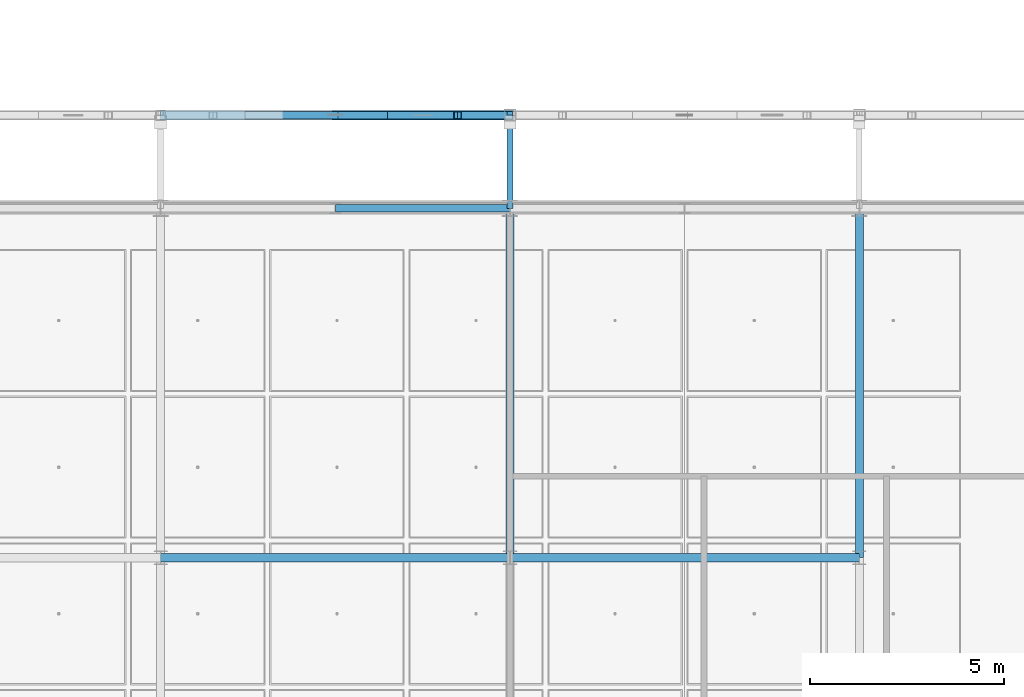
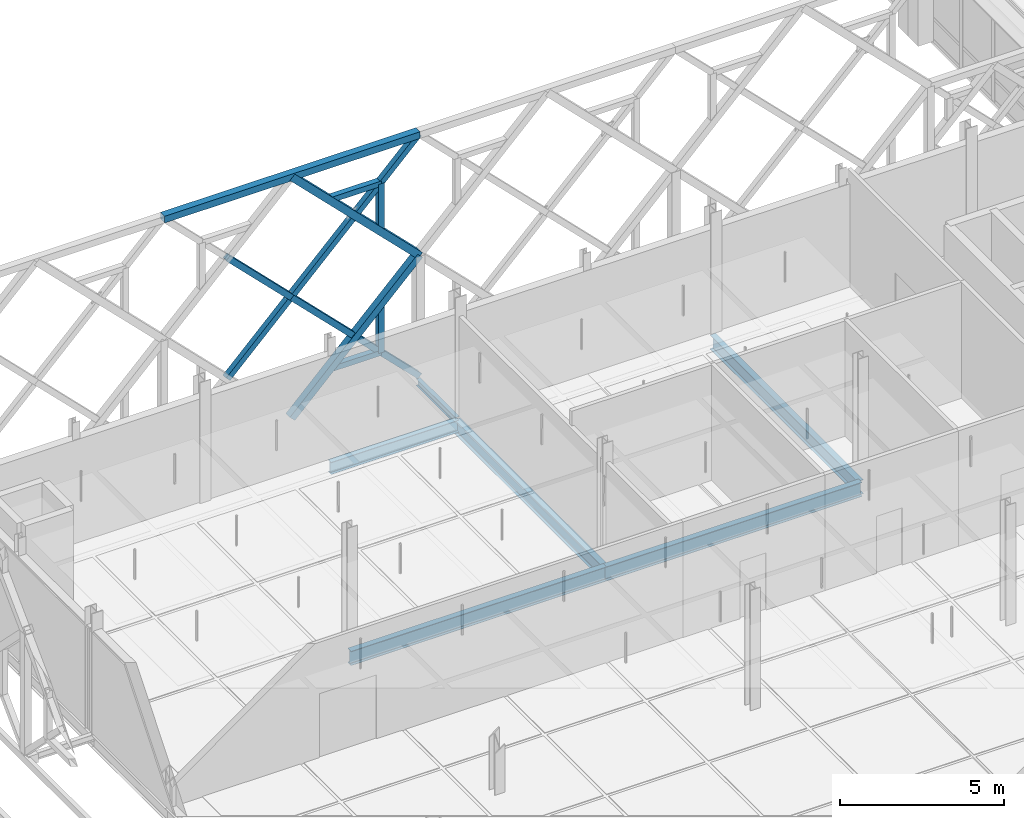
# One storey, part 38 of 140: 12 members, 6 beams.
"""IFC4 building model written with IfcOpenShell, lengths in metres."""

from ifc_helpers import new_model, si_unit, direction, frame, origin, origin_2d, place, context, subcontext, project, spatial, hollow_rectangle, i_section, extrude, material, material_profile, profile_set, type_object, element, save


model = new_model("IFC4")

# Units and contexts
model_context = context("Model", 3, precision=1e-05, world=origin(), true_north=direction((0.0, 1.0)))
body_context = subcontext(model_context, "Body", "Model", "MODEL_VIEW")
ifc_project = project(units=[si_unit("LENGTHUNIT", "METRE"), si_unit("AREAUNIT", "SQUARE_METRE"), si_unit("VOLUMEUNIT", "CUBIC_METRE"), si_unit("PLANEANGLEUNIT", "RADIAN"), si_unit("MASSUNIT", "GRAM", prefix="KILO"), si_unit("THERMODYNAMICTEMPERATUREUNIT", "KELVIN"), si_unit("POWERUNIT", "WATT")], contexts=[model_context])

# Site, building, storey
site_placement = place(None, origin())
site = spatial("IfcSite", under=ifc_project, at=site_placement, CompositionType="ELEMENT")
building_placement = place(site_placement, origin())
building = spatial("IfcBuilding", under=site, at=building_placement, Name="Tallowbark Science Centre", CompositionType="ELEMENT")
storey_placement = place(building_placement, frame((0.0, 0.0, 9.89990234375)))
storey = spatial("IfcBuildingStorey", under=building, at=storey_placement, Name="L02", CompositionType="ELEMENT", Elevation=9.89990234375)

# Beams
ifc_material_1 = material(Name="White Architectural Painted Steel Grade C350L0 (350 MPa)", Category="steel")
ifc_material_profile_1 = material_profile(ifc_material_1, i_section(OverallWidth=0.146484375, OverallDepth=0.256103515625, WebThickness=0.00634765625, FlangeThickness=0.010986328125, FilletRadius=0.0087890625, at=origin_2d()), Name="250UB37.3")
ifc_profile_set_1 = profile_set([ifc_material_profile_1], Name="White Architectural Painted Steel Grade C350L0 (350 MPa)")
beam_type_1 = type_object("IfcBeamType", Name="BM-OUT250", PredefinedType="BEAM", material=ifc_profile_set_1)
beam_1_placement = place(storey_placement, frame((76.5, 40.5, -0.25), z_axis=(0.0, 1.0, 0.0), x_axis=(-1.0, 0.0, 0.0)))
element("IfcBeam", 1, at=beam_1_placement, inside=storey, type_object=beam_type_1, Name="Star Screen Outrigger Tie Beam N-24", PredefinedType="BEAM", context=body_context, shape_type="SweptSolid", body=[
    extrude(i_section(OverallWidth=0.146484375, OverallDepth=0.256103515625, WebThickness=0.00634765625, FlangeThickness=0.010986328125, FilletRadius=0.0087890625, at=origin_2d()), origin(), (0.0, 0.0, 1.0), 2.39990234375),
])
ifc_material_2 = material(Name="Structural Steel Grade 300PLUS (300 MPa)", Category="steel")
ifc_material_profile_2 = material_profile(ifc_material_2, i_section(OverallWidth=0.208984375, OverallDepth=0.532958984375, WebThickness=0.01025390625, FlangeThickness=0.015625, FilletRadius=0.013916015625, at=origin_2d()), Name="530UB92.4")
ifc_profile_set_2 = profile_set([ifc_material_profile_2], Name="Structural Steel Grade 300PLUS (300 MPa)")
beam_type_2 = type_object("IfcBeamType", Name="BM-UB530A", PredefinedType="BEAM", material=ifc_profile_set_2)
for number, where, z_axis, x_axis, name in (
    (2, (67.5, 31.5, -0.4462890625), (1.0, 0.0, 0.0), (0.0, 1.0, 0.0), "Primary Girder GRDX-L02-675-765-315"),
    (3, (76.5, 31.5, -0.4462890625), (1.0, 0.0, 0.0), (0.0, 1.0, 0.0), "Primary Girder GRDX-L02-765-855-315"),
):
    element("IfcBeam", number, at=place(storey_placement, frame(where, z_axis=z_axis, x_axis=x_axis)), inside=storey, type_object=beam_type_2, Name=name, PredefinedType="BEAM", context=body_context, shape_type="SweptSolid", body=[
        extrude(i_section(OverallWidth=0.208984375, OverallDepth=0.532958984375, WebThickness=0.01025390625, FlangeThickness=0.015625, FilletRadius=0.013916015625, at=origin_2d()), origin(), (0.0, 0.0, 1.0), 9.0),
    ])
ifc_material_profile_3 = material_profile(ifc_material_2, i_section(OverallWidth=0.208740234375, OverallDepth=0.5283203125, WebThickness=0.009521484375, FlangeThickness=0.01318359375, FilletRadius=0.013916015625, at=origin_2d()), Name="530UB82.0")
ifc_profile_set_3 = profile_set([ifc_material_profile_3], Name="Structural Steel Grade 300PLUS (300 MPa)")
beam_type_3 = type_object("IfcBeamType", Name="BM-UB530B", PredefinedType="BEAM", material=ifc_profile_set_3)
for number, where, z_axis, x_axis, name in (
    (4, (76.5, 31.5, -0.444091796875), (0.0, 1.0, 0.0), (-1.0, 0.0, 0.0), "Primary Girder GRDY-L02-765-315-405"),
    (5, (85.5, 31.5, -0.444091796875), (0.0, 1.0, 0.0), (-1.0, 0.0, 0.0), "Primary Girder GRDY-L02-855-315-405"),
):
    element("IfcBeam", number, at=place(storey_placement, frame(where, z_axis=z_axis, x_axis=x_axis)), inside=storey, type_object=beam_type_3, Name=name, PredefinedType="BEAM", context=body_context, shape_type="SweptSolid", body=[
        extrude(i_section(OverallWidth=0.208740234375, OverallDepth=0.5283203125, WebThickness=0.009521484375, FlangeThickness=0.01318359375, FilletRadius=0.013916015625, at=origin_2d()), origin(), (0.0, 0.0, 1.0), 9.0),
    ])

# Members
ifc_material_profile_4 = material_profile(ifc_material_1, hollow_rectangle(XDim=0.25, YDim=0.25, WallThickness=0.009033203125, at=origin_2d()), Name="250x250x9.0SHS")
ifc_profile_set_4 = profile_set([ifc_material_profile_4], Name="White Architectural Painted Steel Grade C350L0 (350 MPa)")
member_type_1 = type_object("IfcMemberType", Name="SCR-CHD200", PredefinedType="CHORD", material=ifc_profile_set_4)
member_1_placement = place(storey_placement, frame((67.5, 42.89990234375, 9.0), z_axis=(1.0, 0.0, 0.0), x_axis=(0.0, 1.0, 0.0)))
element("IfcMember", 6, at=member_1_placement, inside=storey, type_object=member_type_1, Name="Star Screen Frame Chord N-20", PredefinedType="CHORD", context=body_context, shape_type="SweptSolid", body=[
    extrude(hollow_rectangle(XDim=0.25, YDim=0.25, WallThickness=0.009033203125, at=origin_2d()), origin(), (0.0, 0.0, 1.0), 9.0),
])
for number, where, z_axis, x_axis, name in (
    (7, (72.0, 42.89990234375, 0.0), (0.707106781187, 0.0, 0.707106781187), (0.0, 1.0, 0.0), "Star Screen Octagram Diamond Chord N-20-1"),
    (8, (76.5, 42.89990234375, 4.5), (-0.707106781187, 0.0, 0.707106781187), (0.0, -1.0, 0.0), "Star Screen Octagram Diamond Chord N-20-2"),
):
    element("IfcMember", number, at=place(storey_placement, frame(where, z_axis=z_axis, x_axis=x_axis)), inside=storey, type_object=member_type_1, Name=name, PredefinedType="CHORD", context=body_context, shape_type="SweptSolid", body=[
        extrude(hollow_rectangle(XDim=0.25, YDim=0.25, WallThickness=0.009033203125, at=origin_2d()), origin(), (0.0, 0.0, 1.0), 6.364013671875),
    ])
ifc_material_profile_5 = material_profile(ifc_material_1, hollow_rectangle(XDim=0.199951171875, YDim=0.199951171875, WallThickness=0.009033203125, at=origin_2d()), Name="200x200x9.0SHS")
ifc_profile_set_5 = profile_set([ifc_material_profile_5], Name="White Architectural Painted Steel Grade C350L0 (350 MPa)")
member_type_2 = type_object("IfcMemberType", Name="SCR-STAR139", PredefinedType="BRACE", material=ifc_profile_set_5)
member_2_placement = place(storey_placement, frame((69.75, 42.89990234375, 2.25), z_axis=(0.707106781187, 0.0, 0.707106781187), x_axis=(0.0, 1.0, 0.0)))
element("IfcMember", 9, at=member_2_placement, inside=storey, type_object=member_type_2, Name="Star Screen Continuous X-Diagonal D1M N-20", PredefinedType="BRACE", context=body_context, shape_type="SweptSolid", body=[
    extrude(hollow_rectangle(XDim=0.199951171875, YDim=0.199951171875, WallThickness=0.009033203125, at=origin_2d()), origin(), (0.0, 0.0, 1.0), 6.364013671875),
])
for number, where, z_axis, x_axis, name in (
    (10, (74.25, 42.89990234375, 6.75), (0.707106781187, 0.0, 0.707106781187), (0.0, 1.0, 0.0), "Star Screen Continuous X-Diagonal D1B N-20"),
    (11, (69.75, 42.89990234375, 6.75), (0.707106781187, 0.0, -0.707106781187), (0.0, 1.0, 0.0), "Star Screen Split X-Diagonal D2B N-20"),
    (12, (72.0, 42.89990234375, 4.5), (0.707106781187, 0.0, -0.707106781187), (0.0, 1.0, 0.0), "Star Screen Split X-Diagonal D2C N-20"),
    (13, (74.25, 42.89990234375, 2.25), (0.707106781187, 0.0, -0.707106781187), (0.0, 1.0, 0.0), "Star Screen Split X-Diagonal D2D N-20"),
):
    element("IfcMember", number, at=place(storey_placement, frame(where, z_axis=z_axis, x_axis=x_axis)), inside=storey, type_object=member_type_2, Name=name, PredefinedType="BRACE", context=body_context, shape_type="SweptSolid", body=[
        extrude(hollow_rectangle(XDim=0.199951171875, YDim=0.199951171875, WallThickness=0.009033203125, at=origin_2d()), origin(), (0.0, 0.0, 1.0), 3.181884765625),
    ])
ifc_material_profile_6 = material_profile(ifc_material_1, hollow_rectangle(XDim=0.199951171875, YDim=0.199951171875, WallThickness=0.009033203125, at=origin_2d()), Name="200x200x9.0SHS")
ifc_profile_set_6 = profile_set([ifc_material_profile_6], Name="White Architectural Painted Steel Grade C350L0 (350 MPa)")
member_type_3 = type_object("IfcMemberType", Name="SCR-SUB150", PredefinedType="BRACE", material=ifc_profile_set_6)
member_3_placement = place(storey_placement, frame((75.14990234375, 42.89990234375, 1.35009765625), z_axis=(-1.0, 0.0, 0.0), x_axis=(0.0, -1.0, 0.0)))
element("IfcMember", 14, at=member_3_placement, inside=storey, type_object=member_type_3, Name="Star Screen Octagram Point Ray N-20-3", PredefinedType="BRACE", context=body_context, shape_type="SweptSolid", body=[
    extrude(hollow_rectangle(XDim=0.199951171875, YDim=0.199951171875, WallThickness=0.009033203125, at=origin_2d()), origin(), (0.0, 0.0, 1.0), 1.7998046875),
])
member_4_placement = place(storey_placement, frame((75.14990234375, 42.89990234375, 1.35009765625), z_axis=(0.0, 0.0, 1.0), x_axis=(1.0, 0.0, 0.0)))
element("IfcMember", 15, at=member_4_placement, inside=storey, type_object=member_type_3, Name="Star Screen Octagram Point Ray N-20-4", PredefinedType="BRACE", context=body_context, shape_type="SweptSolid", body=[
    extrude(hollow_rectangle(XDim=0.199951171875, YDim=0.199951171875, WallThickness=0.009033203125, at=origin_2d()), origin(), (0.0, 0.0, 1.0), 1.800048828125),
])
member_5_placement = place(storey_placement, frame((75.14990234375, 42.89990234375, 7.650146484375), z_axis=(-1.0, 0.0, 0.0), x_axis=(0.0, -1.0, 0.0)))
element("IfcMember", 16, at=member_5_placement, inside=storey, type_object=member_type_3, Name="Star Screen Octagram Point Ray N-20-5", PredefinedType="BRACE", context=body_context, shape_type="SweptSolid", body=[
    extrude(hollow_rectangle(XDim=0.199951171875, YDim=0.199951171875, WallThickness=0.009033203125, at=origin_2d()), origin(), (0.0, 0.0, 1.0), 1.7998046875),
])
member_6_placement = place(storey_placement, frame((75.14990234375, 42.89990234375, 7.650146484375), z_axis=(0.0, 0.0, -1.0), x_axis=(1.0, 0.0, 0.0)))
element("IfcMember", 17, at=member_6_placement, inside=storey, type_object=member_type_3, Name="Star Screen Octagram Point Ray N-20-6", PredefinedType="BRACE", context=body_context, shape_type="SweptSolid", body=[
    extrude(hollow_rectangle(XDim=0.199951171875, YDim=0.199951171875, WallThickness=0.009033203125, at=origin_2d()), origin(), (0.0, 0.0, 1.0), 1.800048828125),
])

# Beam
ifc_material_profile_7 = material_profile(ifc_material_2, i_section(OverallWidth=0.18994140625, OverallDepth=0.453857421875, WebThickness=0.008544921875, FlangeThickness=0.0126953125, FilletRadius=0.011474609375, at=origin_2d()), Name="460UB67.1")
ifc_profile_set_7 = profile_set([ifc_material_profile_7], Name="Structural Steel Grade 300PLUS (300 MPa)")
beam_type_4 = type_object("IfcBeamType", Name="SPN-UB460", PredefinedType="SPANDREL", material=ifc_profile_set_7)
beam_2_placement = place(storey_placement, frame((72.0, 40.5, -0.40673828125), z_axis=(1.0, 0.0, 0.0), x_axis=(0.0, 1.0, 0.0)))
element("IfcBeam", 18, at=beam_2_placement, inside=storey, type_object=beam_type_4, Name="Primary Girder GRDX-L02-720-765-405", PredefinedType="SPANDREL", context=body_context, shape_type="SweptSolid", body=[
    extrude(i_section(OverallWidth=0.18994140625, OverallDepth=0.453857421875, WebThickness=0.008544921875, FlangeThickness=0.0126953125, FilletRadius=0.011474609375, at=origin_2d()), origin(), (0.0, 0.0, 1.0), 4.5),
])

save(model, "model.ifc")
